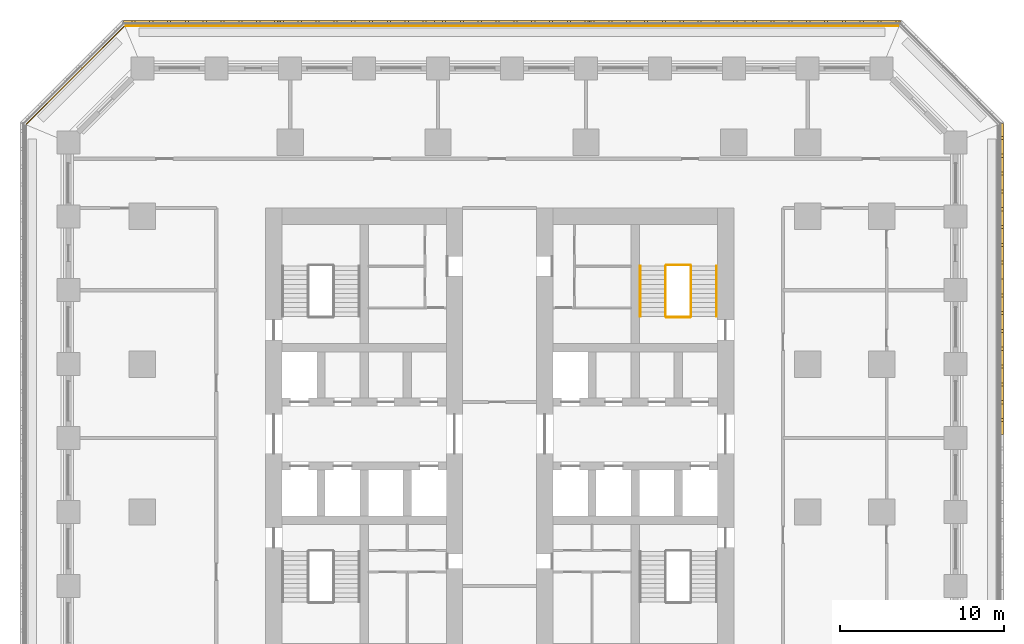
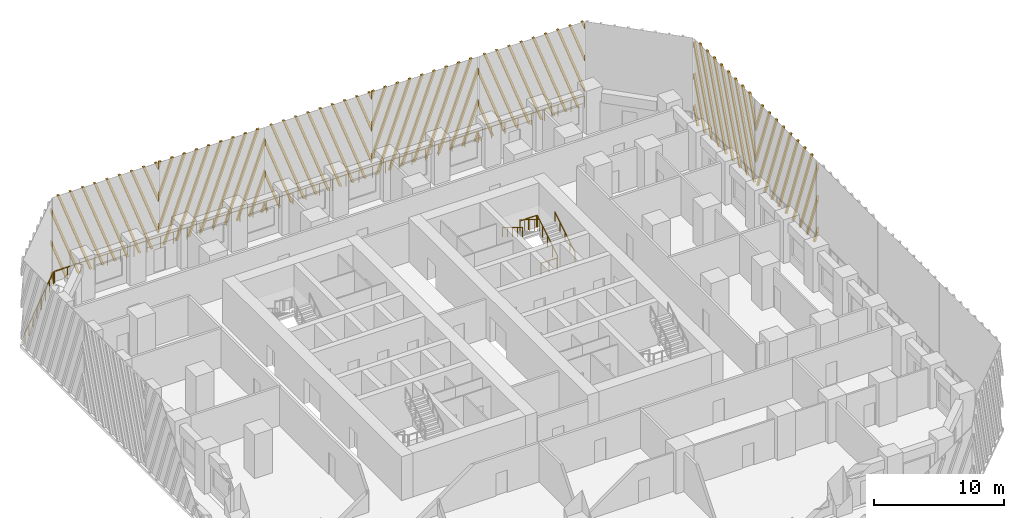
# One storey, part 12 of 14: 8 railings, 7 shading devices.
"""IFC4 building model written with IfcOpenShell, lengths in metres."""

import ifcopenshell
import ifcopenshell.guid

model = None  # the IFC model being written
_history = None  # IfcOwnerHistory: only IFC2X3 demands one
_inside = {}  # id of a spatial element -> (the spatial element, [elements in it])
_under = {}  # id of a project, library or spatial element -> (it, [spatial elements below it])
_declared = {}  # id of a project -> (the project, [libraries it declares])
_typed = {}  # id of a type object -> (the type object, [elements of that type])
_made_of = {}  # id of a material, layer set ... -> (it, [elements and type objects made of it])


def new_model(schema):
    """Start an empty IFC model of exactly this schema.

    Asked for "IFC4X3", IfcOpenShell would pick the latest addendum, in which some entities
    have other attributes; the version numbers below select the first issue.
    IFC2X3 requires an IfcOwnerHistory on every rooted entity: one is made here for all.
    """
    global model, _history
    if schema == "IFC4X3":
        model = ifcopenshell.file(schema_version=(4, 3, 0, 0))
    else:
        model = ifcopenshell.file(schema=schema)
    _inside.clear()
    _under.clear()
    _declared.clear()
    _typed.clear()
    _made_of.clear()
    _history = None
    if model.schema == "IFC2X3":
        org = make("IfcOrganization", Name="unknown")
        user = make(
            "IfcPersonAndOrganization",
            ThePerson=make("IfcPerson", FamilyName="unknown"),
            TheOrganization=org,
        )
        app = make(
            "IfcApplication",
            ApplicationDeveloper=org,
            Version="unknown",
            ApplicationFullName="unknown",
            ApplicationIdentifier="unknown",
        )
        _history = make(
            "IfcOwnerHistory",
            OwningUser=user,
            OwningApplication=app,
            ChangeAction="ADDED",
            CreationDate=0,
        )
    return model


def make(cls, **values):
    """One entity of the class cls with the attributes given. An attribute that is None is left unset."""
    return model.create_entity(
        cls, **{name: value for name, value in values.items() if value is not None}
    )


def rooted(cls, **values):
    """An entity with a GlobalId (a new one), such as an element, a storey or a relation."""
    return make(cls, GlobalId=ifcopenshell.guid.new(), OwnerHistory=_history, **values)


def si_unit(unit_type, name, prefix=None):
    """IfcSIUnit, for example si_unit("LENGTHUNIT", "METRE", prefix="MILLI")."""
    return make("IfcSIUnit", UnitType=unit_type, Prefix=prefix, Name=name)


def assignment(units):
    """IfcUnitAssignment: the units of a project."""
    return None if units is None else make("IfcUnitAssignment", Units=units)


def point(xyz):
    """IfcCartesianPoint."""
    return None if xyz is None else make("IfcCartesianPoint", Coordinates=xyz)


def direction(xyz):
    """IfcDirection."""
    return None if xyz is None else make("IfcDirection", DirectionRatios=xyz)


def frame(location, z_axis=None, x_axis=None):
    """IfcAxis2Placement3D, a coordinate frame: its origin and axes. An axis left out is left unset."""
    return make(
        "IfcAxis2Placement3D",
        Location=point(location),
        Axis=direction(z_axis),
        RefDirection=direction(x_axis),
    )


def frame_2d(location, x_axis=None):
    """IfcAxis2Placement2D, a coordinate frame in the plane: its origin and x axis."""
    return make(
        "IfcAxis2Placement2D", Location=point(location), RefDirection=direction(x_axis)
    )


def origin():
    """The frame at (0, 0, 0) with its axes left unset."""
    return frame((0.0, 0.0, 0.0))


def origin_2d():
    """The frame at (0, 0) in the plane with its x axis left unset."""
    return frame_2d((0.0, 0.0))


def place(relative_to, where):
    """IfcLocalPlacement: puts the frame where relative to a parent placement (None: the world)."""
    return make(
        "IfcLocalPlacement", PlacementRelTo=relative_to, RelativePlacement=where
    )


def context(
    kind, dimensions, precision=None, world=None, true_north=None, identifier=None
):
    """IfcGeometricRepresentationContext, for example the 3D "Model" context."""
    return make(
        "IfcGeometricRepresentationContext",
        ContextIdentifier=identifier,
        ContextType=kind,
        CoordinateSpaceDimension=dimensions,
        Precision=precision,
        WorldCoordinateSystem=world,
        TrueNorth=true_north,
    )


def subcontext(parent, identifier, kind, view, scale=None):
    """IfcGeometricRepresentationSubContext, for example "Body" below "Model"."""
    return make(
        "IfcGeometricRepresentationSubContext",
        ContextIdentifier=identifier,
        ContextType=kind,
        ParentContext=parent,
        TargetScale=scale,
        TargetView=view,
    )


def project(units=None, contexts=None):
    """IfcProject with its units and contexts."""
    return rooted(
        "IfcProject",
        Name="project",
        RepresentationContexts=contexts,
        UnitsInContext=assignment(units),
    )


def spatial(cls, under=None, at=None, **own):
    """A site, building, storey or space (cls), placed at a placement, below another one or the project."""
    s = rooted(cls, ObjectPlacement=at, **own)
    if under is not None:
        _under.setdefault(under.id(), (under, []))[1].append(s)
    return s


def polyline(points):
    """IfcPolyline through the points."""
    return make("IfcPolyline", Points=[point(p) for p in points])


def profile(cls, at=None, kind="AREA", **sizes):
    """A parametric profile (cls). Its sizes go by their IFC names, for example OverallWidth=200.0."""
    return make(cls, ProfileType=kind, Position=at, **sizes)


def circle(**sizes):
    """IfcCircleProfileDef."""
    return profile("IfcCircleProfileDef", **sizes)


def outline(outer, holes=None, kind="AREA"):
    """IfcArbitraryClosedProfileDef: a profile drawn as a closed curve; with holes, ...WithVoids."""
    if holes is None:
        return make("IfcArbitraryClosedProfileDef", ProfileType=kind, OuterCurve=outer)
    return make(
        "IfcArbitraryProfileDefWithVoids",
        ProfileType=kind,
        OuterCurve=outer,
        InnerCurves=holes,
    )


def extrude(swept, where, along, depth):
    """IfcExtrudedAreaSolid: the profile swept, set in the frame where, extruded along a direction by depth."""
    return make(
        "IfcExtrudedAreaSolid",
        SweptArea=swept,
        Position=where,
        ExtrudedDirection=direction(along),
        Depth=depth,
    )


def shape(context_of_items, identifier, shape_type, items):
    """IfcShapeRepresentation: the items that make up one representation, for example the "Body"."""
    return make(
        "IfcShapeRepresentation",
        ContextOfItems=context_of_items,
        RepresentationIdentifier=identifier,
        RepresentationType=shape_type,
        Items=items,
    )


def source(mapping_origin, context_of_items, identifier, shape_type, items):
    """IfcRepresentationMap: a shape defined once, which mapped items show again and again."""
    return make(
        "IfcRepresentationMap",
        MappingOrigin=mapping_origin,
        MappedRepresentation=shape(context_of_items, identifier, shape_type, items),
    )


def transform(
    local_origin,
    x_axis=None,
    y_axis=None,
    z_axis=None,
    scale=None,
    scale2=None,
    scale3=None,
    uniform=True,
):
    """IfcCartesianTransformationOperator3D, or its non-uniform kind. x_axis, y_axis, z_axis: its Axis1, 2, 3."""
    if uniform:
        return make(
            "IfcCartesianTransformationOperator3D",
            Axis1=direction(x_axis),
            Axis2=direction(y_axis),
            LocalOrigin=point(local_origin),
            Scale=scale,
            Axis3=direction(z_axis),
        )
    return make(
        "IfcCartesianTransformationOperator3DnonUniform",
        Axis1=direction(x_axis),
        Axis2=direction(y_axis),
        LocalOrigin=point(local_origin),
        Scale=scale,
        Axis3=direction(z_axis),
        Scale2=scale2,
        Scale3=scale3,
    )


def mapped(mapping_source, mapping_target):
    """IfcMappedItem: shows the shape of a source again, moved by a transform."""
    return make(
        "IfcMappedItem", MappingSource=mapping_source, MappingTarget=mapping_target
    )


def material(Name=None, Category=None):
    """IfcMaterial."""
    return make("IfcMaterial", Name=Name, Category=Category)


def made_of(thing, what):
    """Note that an element or type object is made of a material, layer set ...; save() writes the relation."""
    if what is not None:
        _made_of.setdefault(what.id(), (what, []))[1].append(thing)
    return thing


def type_object(cls, material=None, **own):
    """A type object (cls), such as IfcWallType, which elements share."""
    return made_of(rooted(cls, **own), material)


def element(
    cls,
    number,
    at=None,
    inside=None,
    cuts=None,
    type_object=None,
    material=None,
    context=None,
    identifier="Body",
    shape_type=None,
    held_by="IfcProductDefinitionShape",
    body=None,
    shapes=None,
    **own,
):
    """One element of the class cls, such as IfcWall. Its Tag is "e" and its number.

    at: its placement. inside: the storey or other place that contains it. cuts: it is an
    opening in that element (IfcRelVoidsElement). A single representation is given by context,
    identifier, shape_type and body (its items); several are given by shapes. held_by: the class
    of the entity that holds the representations. save() writes the other relations.
    """
    e = rooted(cls, Tag="e%d" % number, ObjectPlacement=at, **own)
    if body is not None:
        shapes = [shape(context, identifier, shape_type, body)]
    if shapes is not None:
        e.Representation = make(held_by, Representations=shapes)
    if inside is not None:
        _inside.setdefault(inside.id(), (inside, []))[1].append(e)
    if cuts is not None:
        rooted(
            "IfcRelVoidsElement", RelatingBuildingElement=cuts, RelatedOpeningElement=e
        )
    if type_object is not None:
        _typed.setdefault(type_object.id(), (type_object, []))[1].append(e)
    return made_of(e, material)


def aggregate(whole, parts):
    """IfcRelAggregates: a whole, such as a stair, and the parts it consists of."""
    return rooted("IfcRelAggregates", RelatingObject=whole, RelatedObjects=parts)


def save(model, path):
    """Write the relations noted so far, then the file.

    IfcRelAggregates (storeys below a building ...), IfcRelContainedInSpatialStructure (elements
    in a storey), IfcRelDefinesByType, IfcRelAssociatesMaterial and IfcRelDeclares: one each for
    every whole, place, type object, material and project.
    """
    for whole, parts in _under.values():
        aggregate(whole, parts)
    for where, things in _inside.values():
        rooted(
            "IfcRelContainedInSpatialStructure",
            RelatedElements=things,
            RelatingStructure=where,
        )
    for kind, things in _typed.values():
        rooted("IfcRelDefinesByType", RelatedObjects=things, RelatingType=kind)
    for what, things in _made_of.values():
        rooted("IfcRelAssociatesMaterial", RelatedObjects=things, RelatingMaterial=what)
    for by, libraries in _declared.values():
        rooted("IfcRelDeclares", RelatingContext=by, RelatedDefinitions=libraries)
    model.write(path)


model = new_model("IFC4")

# Units and contexts
model_context = context("Model", 3, precision=1e-05, world=origin(), true_north=direction((0.0, 1.0)))
body_context = subcontext(model_context, "Body", "Model", "MODEL_VIEW")
ifc_project = project(units=[si_unit("LENGTHUNIT", "METRE"), si_unit("AREAUNIT", "SQUARE_METRE"), si_unit("VOLUMEUNIT", "CUBIC_METRE"), si_unit("PLANEANGLEUNIT", "RADIAN"), si_unit("MASSUNIT", "GRAM", prefix="KILO")], contexts=[model_context])

# Site, building, storey
site_placement = place(None, origin())
site = spatial("IfcSite", under=ifc_project, at=site_placement, CompositionType="ELEMENT")
building_placement = place(site_placement, origin())
building = spatial("IfcBuilding", under=site, at=building_placement, Name="Corbel Stack Research Tower", CompositionType="ELEMENT")
storey_placement = place(building_placement, frame((0.0, 0.0, 58.300048828125)))
storey = spatial("IfcBuildingStorey", under=building, at=storey_placement, Name="L13", CompositionType="ELEMENT", Elevation=58.300048828125)

# Railings
ifc_material_1 = material(Name="Steel S355", Category="steel")
railing_type_1 = type_object("IfcRailingType", Name="Stair guard 1100", PredefinedType="GUARDRAIL", material=ifc_material_1)
railing_1_placement = place(storey_placement, frame((15.39990234375, 11.89990234375, 0.1708984375)))
element("IfcRailing", 1, at=railing_1_placement, inside=storey, type_object=railing_type_1, Name="L13 ST-E2 stair guard 1", PredefinedType="GUARDRAIL", context=body_context, shape_type="SweptSolid", body=[
    extrude(circle(Radius=0.02392578125, at=origin_2d()), frame((0.0, 0.0, 1.076171875), z_axis=(0.0, 0.853666305674, 0.52082035152), x_axis=(-1.0, 0.0, 0.0)), (0.0, 0.0, 1.0), 3.608154296875),
    extrude(circle(Radius=0.02099609375, at=origin_2d()), origin(), (0.0, 0.0, 1.0), 1.052001953125),
    extrude(circle(Radius=0.02099609375, at=origin_2d()), frame((0.0, 0.77001953125, 0.4697265625)), (0.0, 0.0, 1.0), 1.052001953125),
    extrude(circle(Radius=0.02099609375, at=origin_2d()), frame((0.0, 1.5400390625, 0.939453125)), (0.0, 0.0, 1.0), 1.052001953125),
    extrude(circle(Radius=0.02099609375, at=origin_2d()), frame((0.0, 2.31005859375, 1.409423828125)), (0.0, 0.0, 1.0), 1.052001953125),
    extrude(circle(Radius=0.02099609375, at=origin_2d()), frame((0.0, 3.080078125, 1.879150390625)), (0.0, 0.0, 1.0), 1.052001953125),
])
railing_2_placement = place(storey_placement, frame((15.35009765625, 15.030029296875, 2.050048828125)))
element("IfcRailing", 2, at=railing_2_placement, inside=storey, type_object=railing_type_1, Name="L13 ST-E2 stair guard 2", PredefinedType="GUARDRAIL", context=body_context, shape_type="SweptSolid", body=[
    extrude(circle(Radius=0.02392578125, at=origin_2d()), frame((0.0, 0.0, 1.076171875), z_axis=(-1.0, 0.0, 0.0), x_axis=(0.0, -1.0, 0.0)), (0.0, 0.0, 1.0), 1.4501953125),
    extrude(circle(Radius=0.02099609375, at=origin_2d()), origin(), (0.0, 0.0, 1.0), 1.052001953125),
    extrude(circle(Radius=0.02099609375, at=origin_2d()), frame((-0.72509765625, 0.0, 0.0)), (0.0, 0.0, 1.0), 1.052001953125),
    extrude(circle(Radius=0.02099609375, at=origin_2d()), frame((-1.4501953125, 0.0, 0.0)), (0.0, 0.0, 1.0), 1.052001953125),
])
railing_3_placement = place(storey_placement, frame((13.85009765625, 14.97998046875, 2.220703125)))
element("IfcRailing", 3, at=railing_3_placement, inside=storey, type_object=railing_type_1, Name="L13 ST-E2 stair guard 3", PredefinedType="GUARDRAIL", context=body_context, shape_type="SweptSolid", body=[
    extrude(circle(Radius=0.02392578125, at=origin_2d()), frame((0.0, 0.0, 1.076171875), z_axis=(0.0, -0.853666305674, 0.52082035152), x_axis=(1.0, 0.0, 0.0)), (0.0, 0.0, 1.0), 3.608154296875),
    extrude(circle(Radius=0.02099609375, at=origin_2d()), origin(), (0.0, 0.0, 1.0), 1.052001953125),
    extrude(circle(Radius=0.02099609375, at=origin_2d()), frame((0.0, -0.77001953125, 0.4697265625)), (0.0, 0.0, 1.0), 1.052001953125),
    extrude(circle(Radius=0.02099609375, at=origin_2d()), frame((0.0, -1.5400390625, 0.939453125)), (0.0, 0.0, 1.0), 1.052001953125),
    extrude(circle(Radius=0.02099609375, at=origin_2d()), frame((0.0, -2.31005859375, 1.409423828125)), (0.0, 0.0, 1.0), 1.052001953125),
    extrude(circle(Radius=0.02099609375, at=origin_2d()), frame((0.0, -3.080078125, 1.879150390625)), (0.0, 0.0, 1.0), 1.052001953125),
])
railing_4_placement = place(storey_placement, frame((15.35009765625, 11.85009765625, 0.0)))
element("IfcRailing", 4, at=railing_4_placement, inside=storey, type_object=railing_type_1, Name="L13 ST-E2 stair guard 4", PredefinedType="GUARDRAIL", context=body_context, shape_type="SweptSolid", body=[
    extrude(circle(Radius=0.02392578125, at=origin_2d()), frame((0.0, 0.0, 1.076171875), z_axis=(-1.0, 0.0, 0.0), x_axis=(0.0, -1.0, 0.0)), (0.0, 0.0, 1.0), 1.4501953125),
    extrude(circle(Radius=0.02099609375, at=origin_2d()), origin(), (0.0, 0.0, 1.0), 1.052001953125),
    extrude(circle(Radius=0.02099609375, at=origin_2d()), frame((-0.72509765625, 0.0, 0.0)), (0.0, 0.0, 1.0), 1.052001953125),
    extrude(circle(Radius=0.02099609375, at=origin_2d()), frame((-1.4501953125, 0.0, 0.0)), (0.0, 0.0, 1.0), 1.052001953125),
])
ifc_material_2 = material(Name="Steel S355", Category="steel")
railing_type_2 = type_object("IfcRailingType", Name="Stair handrail 900", PredefinedType="HANDRAIL", material=ifc_material_2)
railing_5_placement = place(storey_placement, frame((16.949951171875, 11.89990234375, 0.1708984375)))
element("IfcRailing", 5, at=railing_5_placement, inside=storey, type_object=railing_type_2, Name="L13 ST-E2 stair handrail 1", PredefinedType="HANDRAIL", context=body_context, shape_type="SweptSolid", body=[
    extrude(circle(Radius=0.02392578125, at=origin_2d()), frame((0.0, 0.0, 0.8759765625), z_axis=(0.0, 0.853666305674, 0.52082035152), x_axis=(-1.0, 0.0, 0.0)), (0.0, 0.0, 1.0), 3.608154296875),
    extrude(circle(Radius=0.02099609375, at=origin_2d()), origin(), (0.0, 0.0, 1.0), 0.851806640625),
    extrude(circle(Radius=0.02099609375, at=origin_2d()), frame((0.0, 0.77001953125, 0.4697265625)), (0.0, 0.0, 1.0), 0.851806640625),
    extrude(circle(Radius=0.02099609375, at=origin_2d()), frame((0.0, 1.5400390625, 0.939453125)), (0.0, 0.0, 1.0), 0.851806640625),
    extrude(circle(Radius=0.02099609375, at=origin_2d()), frame((0.0, 2.31005859375, 1.409423828125)), (0.0, 0.0, 1.0), 0.851806640625),
    extrude(circle(Radius=0.02099609375, at=origin_2d()), frame((0.0, 3.080078125, 1.879150390625)), (0.0, 0.0, 1.0), 0.851806640625),
])
railing_6_placement = place(storey_placement, frame((12.300048828125, 14.97998046875, 2.220703125)))
element("IfcRailing", 6, at=railing_6_placement, inside=storey, type_object=railing_type_2, Name="L13 ST-E2 stair handrail 2", PredefinedType="HANDRAIL", context=body_context, shape_type="SweptSolid", body=[
    extrude(circle(Radius=0.02392578125, at=origin_2d()), frame((0.0, 0.0, 0.8759765625), z_axis=(0.0, -0.853666305674, 0.52082035152), x_axis=(1.0, 0.0, 0.0)), (0.0, 0.0, 1.0), 3.608154296875),
    extrude(circle(Radius=0.02099609375, at=origin_2d()), origin(), (0.0, 0.0, 1.0), 0.851806640625),
    extrude(circle(Radius=0.02099609375, at=origin_2d()), frame((0.0, -0.77001953125, 0.4697265625)), (0.0, 0.0, 1.0), 0.851806640625),
    extrude(circle(Radius=0.02099609375, at=origin_2d()), frame((0.0, -1.5400390625, 0.939453125)), (0.0, 0.0, 1.0), 0.851806640625),
    extrude(circle(Radius=0.02099609375, at=origin_2d()), frame((0.0, -2.31005859375, 1.409423828125)), (0.0, 0.0, 1.0), 0.851806640625),
    extrude(circle(Radius=0.02099609375, at=origin_2d()), frame((0.0, -3.080078125, 1.879150390625)), (0.0, 0.0, 1.0), 0.851806640625),
])
ifc_material_3 = material(Name="Powder-coated steel guard", Category="steel")
railing_type_3 = type_object("IfcRailingType", Name="Steel and glass guard 1100", PredefinedType="GUARDRAIL", material=ifc_material_3)
railing_7_placement = place(storey_placement, frame((28.00537109375, 29.60009765625, 0.0)))
element("IfcRailing", 7, at=railing_7_placement, inside=storey, type_object=railing_type_3, Name="Loggia guard L13 N", PredefinedType="GUARDRAIL", context=body_context, shape_type="SweptSolid", body=[
    extrude(circle(Radius=0.02392578125, at=origin_2d()), frame((0.0, 0.0, 1.076171875), z_axis=(-1.0, 0.0, 0.0), x_axis=(0.0, -1.0, 0.0)), (0.0, 0.0, 1.0), 47.0107421875),
    extrude(circle(Radius=0.02099609375, at=origin_2d()), origin(), (0.0, 0.0, 1.0), 1.052001953125),
    extrude(circle(Radius=0.02099609375, at=origin_2d()), frame((-1.17529296875, 0.0, 0.0)), (0.0, 0.0, 1.0), 1.052001953125),
    extrude(circle(Radius=0.02099609375, at=origin_2d()), frame((-2.3505859375, 0.0, 0.0)), (0.0, 0.0, 1.0), 1.052001953125),
    extrude(circle(Radius=0.02099609375, at=origin_2d()), frame((-3.52587890625, 0.0, 0.0)), (0.0, 0.0, 1.0), 1.052001953125),
    extrude(circle(Radius=0.02099609375, at=origin_2d()), frame((-4.701171875, 0.0, 0.0)), (0.0, 0.0, 1.0), 1.052001953125),
    extrude(circle(Radius=0.02099609375, at=origin_2d()), frame((-5.87646484375, 0.0, 0.0)), (0.0, 0.0, 1.0), 1.052001953125),
    extrude(circle(Radius=0.02099609375, at=origin_2d()), frame((-7.051513671875, 0.0, 0.0)), (0.0, 0.0, 1.0), 1.052001953125),
    extrude(circle(Radius=0.02099609375, at=origin_2d()), frame((-8.226806640625, 0.0, 0.0)), (0.0, 0.0, 1.0), 1.052001953125),
    extrude(circle(Radius=0.02099609375, at=origin_2d()), frame((-9.402099609375, 0.0, 0.0)), (0.0, 0.0, 1.0), 1.052001953125),
    extrude(circle(Radius=0.02099609375, at=origin_2d()), frame((-10.577392578125, 0.0, 0.0)), (0.0, 0.0, 1.0), 1.052001953125),
    extrude(circle(Radius=0.02099609375, at=origin_2d()), frame((-11.752685546875, 0.0, 0.0)), (0.0, 0.0, 1.0), 1.052001953125),
    extrude(circle(Radius=0.02099609375, at=origin_2d()), frame((-12.927978515625, 0.0, 0.0)), (0.0, 0.0, 1.0), 1.052001953125),
    extrude(circle(Radius=0.02099609375, at=origin_2d()), frame((-14.103271484375, 0.0, 0.0)), (0.0, 0.0, 1.0), 1.052001953125),
    extrude(circle(Radius=0.02099609375, at=origin_2d()), frame((-15.278564453125, 0.0, 0.0)), (0.0, 0.0, 1.0), 1.052001953125),
    extrude(circle(Radius=0.02099609375, at=origin_2d()), frame((-16.453857421875, 0.0, 0.0)), (0.0, 0.0, 1.0), 1.052001953125),
    extrude(circle(Radius=0.02099609375, at=origin_2d()), frame((-17.62890625, 0.0, 0.0)), (0.0, 0.0, 1.0), 1.052001953125),
    extrude(circle(Radius=0.02099609375, at=origin_2d()), frame((-18.80419921875, 0.0, 0.0)), (0.0, 0.0, 1.0), 1.052001953125),
    extrude(circle(Radius=0.02099609375, at=origin_2d()), frame((-19.9794921875, 0.0, 0.0)), (0.0, 0.0, 1.0), 1.052001953125),
    extrude(circle(Radius=0.02099609375, at=origin_2d()), frame((-21.15478515625, 0.0, 0.0)), (0.0, 0.0, 1.0), 1.052001953125),
    extrude(circle(Radius=0.02099609375, at=origin_2d()), frame((-22.330078125, 0.0, 0.0)), (0.0, 0.0, 1.0), 1.052001953125),
    extrude(circle(Radius=0.02099609375, at=origin_2d()), frame((-23.50537109375, 0.0, 0.0)), (0.0, 0.0, 1.0), 1.052001953125),
    extrude(circle(Radius=0.02099609375, at=origin_2d()), frame((-24.6806640625, 0.0, 0.0)), (0.0, 0.0, 1.0), 1.052001953125),
    extrude(circle(Radius=0.02099609375, at=origin_2d()), frame((-25.85595703125, 0.0, 0.0)), (0.0, 0.0, 1.0), 1.052001953125),
    extrude(circle(Radius=0.02099609375, at=origin_2d()), frame((-27.03125, 0.0, 0.0)), (0.0, 0.0, 1.0), 1.052001953125),
    extrude(circle(Radius=0.02099609375, at=origin_2d()), frame((-28.20654296875, 0.0, 0.0)), (0.0, 0.0, 1.0), 1.052001953125),
    extrude(circle(Radius=0.02099609375, at=origin_2d()), frame((-29.3818359375, 0.0, 0.0)), (0.0, 0.0, 1.0), 1.052001953125),
    extrude(circle(Radius=0.02099609375, at=origin_2d()), frame((-30.556884765625, 0.0, 0.0)), (0.0, 0.0, 1.0), 1.052001953125),
    extrude(circle(Radius=0.02099609375, at=origin_2d()), frame((-31.732177734375, 0.0, 0.0)), (0.0, 0.0, 1.0), 1.052001953125),
    extrude(circle(Radius=0.02099609375, at=origin_2d()), frame((-32.907470703125, 0.0, 0.0)), (0.0, 0.0, 1.0), 1.052001953125),
    extrude(circle(Radius=0.02099609375, at=origin_2d()), frame((-34.082763671875, 0.0, 0.0)), (0.0, 0.0, 1.0), 1.052001953125),
    extrude(circle(Radius=0.02099609375, at=origin_2d()), frame((-35.258056640625, 0.0, 0.0)), (0.0, 0.0, 1.0), 1.052001953125),
    extrude(circle(Radius=0.02099609375, at=origin_2d()), frame((-36.433349609375, 0.0, 0.0)), (0.0, 0.0, 1.0), 1.052001953125),
    extrude(circle(Radius=0.02099609375, at=origin_2d()), frame((-37.608642578125, 0.0, 0.0)), (0.0, 0.0, 1.0), 1.052001953125),
    extrude(circle(Radius=0.02099609375, at=origin_2d()), frame((-38.783935546875, 0.0, 0.0)), (0.0, 0.0, 1.0), 1.052001953125),
    extrude(circle(Radius=0.02099609375, at=origin_2d()), frame((-39.959228515625, 0.0, 0.0)), (0.0, 0.0, 1.0), 1.052001953125),
    extrude(circle(Radius=0.02099609375, at=origin_2d()), frame((-41.13427734375, 0.0, 0.0)), (0.0, 0.0, 1.0), 1.052001953125),
    extrude(circle(Radius=0.02099609375, at=origin_2d()), frame((-42.3095703125, 0.0, 0.0)), (0.0, 0.0, 1.0), 1.052001953125),
    extrude(circle(Radius=0.02099609375, at=origin_2d()), frame((-43.48486328125, 0.0, 0.0)), (0.0, 0.0, 1.0), 1.052001953125),
    extrude(circle(Radius=0.02099609375, at=origin_2d()), frame((-44.66015625, 0.0, 0.0)), (0.0, 0.0, 1.0), 1.052001953125),
    extrude(circle(Radius=0.02099609375, at=origin_2d()), frame((-45.83544921875, 0.0, 0.0)), (0.0, 0.0, 1.0), 1.052001953125),
    extrude(circle(Radius=0.02099609375, at=origin_2d()), frame((-47.0107421875, 0.0, 0.0)), (0.0, 0.0, 1.0), 1.052001953125),
])
railing_8_placement = place(storey_placement, frame((-19.127685546875, 29.54931640625, 0.0)))
element("IfcRailing", 8, at=railing_8_placement, inside=storey, type_object=railing_type_3, Name="Loggia guard L13 NW", PredefinedType="GUARDRAIL", context=body_context, shape_type="SweptSolid", body=[
    extrude(circle(Radius=0.02392578125, at=origin_2d()), frame((0.0, 0.0, 1.076171875), z_axis=(-0.707106781187, -0.707106781187, 0.0), x_axis=(0.707106781187, -0.707106781187, 0.0)), (0.0, 0.0, 1.0), 8.37451171875),
    extrude(circle(Radius=0.02099609375, at=origin_2d()), origin(), (0.0, 0.0, 1.0), 1.052001953125),
    extrude(circle(Radius=0.02099609375, at=origin_2d()), frame((-0.845947265625, -0.845947265625, 0.0)), (0.0, 0.0, 1.0), 1.052001953125),
    extrude(circle(Radius=0.02099609375, at=origin_2d()), frame((-1.69189453125, -1.69189453125, 0.0)), (0.0, 0.0, 1.0), 1.052001953125),
    extrude(circle(Radius=0.02099609375, at=origin_2d()), frame((-2.537841796875, -2.537841796875, 0.0)), (0.0, 0.0, 1.0), 1.052001953125),
    extrude(circle(Radius=0.02099609375, at=origin_2d()), frame((-3.3837890625, -3.3837890625, 0.0)), (0.0, 0.0, 1.0), 1.052001953125),
    extrude(circle(Radius=0.02099609375, at=origin_2d()), frame((-4.229736328125, -4.229736328125, 0.0)), (0.0, 0.0, 1.0), 1.052001953125),
    extrude(circle(Radius=0.02099609375, at=origin_2d()), frame((-5.07568359375, -5.07568359375, 0.0)), (0.0, 0.0, 1.0), 1.052001953125),
    extrude(circle(Radius=0.02099609375, at=origin_2d()), frame((-5.921630859375, -5.921630859375, 0.0)), (0.0, 0.0, 1.0), 1.052001953125),
])

# Shading devices
ifc_material_4 = material(Name="Precast terracotta", Category="masonry")
shading_device_type = type_object("IfcShadingDeviceType", Name="Terracotta screen panel", PredefinedType="USERDEFINED", material=ifc_material_4)
shared_shape_1 = source(origin(), body_context, "Body", "SweptSolid", [
    extrude(outline(polyline([(1.09033203125, 7.949951171875), (0.900390625, 7.949951171875), (0.0, 5.476318359375), (0.0, 4.9541015625), (1.09033203125, 7.949951171875)])), frame((0.0, 0.0, 0.0), z_axis=(0.0, -1.0, 0.0), x_axis=(1.0, 0.0, 0.0)), (0.0, 0.0, 1.0), 0.179931640625),
    extrude(outline(polyline([(2.175048828125, 7.949951171875), (1.985107421875, 7.949951171875), (0.0, 2.49609375), (0.0, 1.97412109375), (2.175048828125, 7.949951171875)])), frame((0.0, 0.0, 0.0), z_axis=(0.0, -1.0, 0.0), x_axis=(1.0, 0.0, 0.0)), (0.0, 0.0, 1.0), 0.179931640625),
    extrude(outline(polyline([(0.3662109375, 0.0), (3.259765625, 7.949951171875), (3.069580078125, 7.949951171875), (0.17626953125, 0.0), (0.3662109375, 0.0)])), frame((0.0, 0.0, 0.0), z_axis=(0.0, -1.0, 0.0), x_axis=(1.0, 0.0, 0.0)), (0.0, 0.0, 1.0), 0.179931640625),
    extrude(outline(polyline([(1.45068359375, 0.0), (4.344482421875, 7.949951171875), (4.154296875, 7.949951171875), (1.2607421875, 0.0), (1.45068359375, 0.0)])), frame((0.0, 0.0, 0.0), z_axis=(0.0, -1.0, 0.0), x_axis=(1.0, 0.0, 0.0)), (0.0, 0.0, 1.0), 0.179931640625),
    extrude(outline(polyline([(2.535400390625, 0.0), (5.42919921875, 7.949951171875), (5.239013671875, 7.949951171875), (2.345458984375, 0.0), (2.535400390625, 0.0)])), frame((0.0, 0.0, 0.0), z_axis=(0.0, -1.0, 0.0), x_axis=(1.0, 0.0, 0.0)), (0.0, 0.0, 1.0), 0.179931640625),
    extrude(outline(polyline([(3.6201171875, 0.0), (6.513671875, 7.949951171875), (6.32373046875, 7.949951171875), (3.43017578125, 0.0), (3.6201171875, 0.0)])), frame((0.0, 0.0, 0.0), z_axis=(0.0, -1.0, 0.0), x_axis=(1.0, 0.0, 0.0)), (0.0, 0.0, 1.0), 0.179931640625),
    extrude(outline(polyline([(4.704833984375, 0.0), (7.598388671875, 7.949951171875), (7.408447265625, 7.949951171875), (4.514892578125, 0.0), (4.704833984375, 0.0)])), frame((0.0, 0.0, 0.0), z_axis=(0.0, -1.0, 0.0), x_axis=(1.0, 0.0, 0.0)), (0.0, 0.0, 1.0), 0.179931640625),
    extrude(outline(polyline([(5.78955078125, 0.0), (8.68310546875, 7.949951171875), (8.4931640625, 7.949951171875), (5.599609375, 0.0), (5.78955078125, 0.0)])), frame((0.0, 0.0, 0.0), z_axis=(0.0, -1.0, 0.0), x_axis=(1.0, 0.0, 0.0)), (0.0, 0.0, 1.0), 0.179931640625),
    extrude(outline(polyline([(6.874267578125, 0.0), (9.45556640625, 7.092529296875), (9.45556640625, 7.614501953125), (6.68408203125, 0.0), (6.874267578125, 0.0)])), frame((0.0, 0.0, 0.0), z_axis=(0.0, -1.0, 0.0), x_axis=(1.0, 0.0, 0.0)), (0.0, 0.0, 1.0), 0.179931640625),
    extrude(outline(polyline([(7.958740234375, 0.0), (9.45556640625, 4.1123046875), (9.45556640625, 4.634521484375), (7.768798828125, 0.0), (7.958740234375, 0.0)])), frame((0.0, 0.0, 0.0), z_axis=(0.0, -1.0, 0.0), x_axis=(1.0, 0.0, 0.0)), (0.0, 0.0, 1.0), 0.179931640625),
    extrude(outline(polyline([(9.04345703125, 0.0), (9.45556640625, 1.13232421875), (9.45556640625, 1.654296875), (8.853515625, 0.0), (9.04345703125, 0.0)])), frame((0.0, 0.0, 0.0), z_axis=(0.0, -1.0, 0.0), x_axis=(1.0, 0.0, 0.0)), (0.0, 0.0, 1.0), 0.179931640625),
])
shading_device_1_placement = place(storey_placement, frame((34.25, 14.18359375, 0.0), z_axis=(0.0, 0.0, 1.0), x_axis=(0.0, 1.0, 0.0)))
element("IfcShadingDevice", 9, at=shading_device_1_placement, inside=storey, type_object=shading_device_type, Name="Terracotta screen L13 E5", ObjectType="SCREEN", PredefinedType="USERDEFINED", context=body_context, shape_type="MappedRepresentation", body=[
    mapped(shared_shape_1, transform((0.0, 0.0, 0.0))),
])
shared_shape_2 = source(origin(), body_context, "Body", "SweptSolid", [
    extrude(outline(polyline([(0.60205078125, 0.0), (0.0, 1.654296875), (0.0, 1.13232421875), (0.412109375, 0.0), (0.60205078125, 0.0)])), frame((0.0, 0.0, 0.0), z_axis=(0.0, -1.0, 0.0), x_axis=(1.0, 0.0, 0.0)), (0.0, 0.0, 1.0), 0.179931640625),
    extrude(outline(polyline([(1.686767578125, 0.0), (0.0, 4.634521484375), (0.0, 4.1123046875), (1.496826171875, 0.0), (1.686767578125, 0.0)])), frame((0.0, 0.0, 0.0), z_axis=(0.0, -1.0, 0.0), x_axis=(1.0, 0.0, 0.0)), (0.0, 0.0, 1.0), 0.179931640625),
    extrude(outline(polyline([(2.771484375, 0.0), (0.0, 7.614501953125), (0.0, 7.092529296875), (2.58154296875, 0.0), (2.771484375, 0.0)])), frame((0.0, 0.0, 0.0), z_axis=(0.0, -1.0, 0.0), x_axis=(1.0, 0.0, 0.0)), (0.0, 0.0, 1.0), 0.179931640625),
    extrude(outline(polyline([(3.856201171875, 0.0), (0.962646484375, 7.949951171875), (0.772705078125, 7.949951171875), (3.666015625, 0.0), (3.856201171875, 0.0)])), frame((0.0, 0.0, 0.0), z_axis=(0.0, -1.0, 0.0), x_axis=(1.0, 0.0, 0.0)), (0.0, 0.0, 1.0), 0.179931640625),
    extrude(outline(polyline([(4.94091796875, 0.0), (2.047119140625, 7.949951171875), (1.857177734375, 7.949951171875), (4.750732421875, 0.0), (4.94091796875, 0.0)])), frame((0.0, 0.0, 0.0), z_axis=(0.0, -1.0, 0.0), x_axis=(1.0, 0.0, 0.0)), (0.0, 0.0, 1.0), 0.179931640625),
    extrude(outline(polyline([(6.025390625, 0.0), (3.1318359375, 7.949951171875), (2.94189453125, 7.949951171875), (5.83544921875, 0.0), (6.025390625, 0.0)])), frame((0.0, 0.0, 0.0), z_axis=(0.0, -1.0, 0.0), x_axis=(1.0, 0.0, 0.0)), (0.0, 0.0, 1.0), 0.179931640625),
    extrude(outline(polyline([(7.110107421875, 0.0), (4.216552734375, 7.949951171875), (4.026611328125, 7.949951171875), (6.920166015625, 0.0), (7.110107421875, 0.0)])), frame((0.0, 0.0, 0.0), z_axis=(0.0, -1.0, 0.0), x_axis=(1.0, 0.0, 0.0)), (0.0, 0.0, 1.0), 0.179931640625),
    extrude(outline(polyline([(8.19482421875, 0.0), (5.30126953125, 7.949951171875), (5.111083984375, 7.949951171875), (8.0048828125, 0.0), (8.19482421875, 0.0)])), frame((0.0, 0.0, 0.0), z_axis=(0.0, -1.0, 0.0), x_axis=(1.0, 0.0, 0.0)), (0.0, 0.0, 1.0), 0.179931640625),
    extrude(outline(polyline([(9.279541015625, 0.0), (6.385986328125, 7.949951171875), (6.19580078125, 7.949951171875), (9.089599609375, 0.0), (9.279541015625, 0.0)])), frame((0.0, 0.0, 0.0), z_axis=(0.0, -1.0, 0.0), x_axis=(1.0, 0.0, 0.0)), (0.0, 0.0, 1.0), 0.179931640625),
    extrude(outline(polyline([(7.470703125, 7.949951171875), (7.280517578125, 7.949951171875), (9.45556640625, 1.97412109375), (9.45556640625, 2.49609375), (7.470703125, 7.949951171875)])), frame((0.0, 0.0, 0.0), z_axis=(0.0, -1.0, 0.0), x_axis=(1.0, 0.0, 0.0)), (0.0, 0.0, 1.0), 0.179931640625),
    extrude(outline(polyline([(8.55517578125, 7.949951171875), (8.365234375, 7.949951171875), (9.45556640625, 4.9541015625), (9.45556640625, 5.476318359375), (8.55517578125, 7.949951171875)])), frame((0.0, 0.0, 0.0), z_axis=(0.0, -1.0, 0.0), x_axis=(1.0, 0.0, 0.0)), (0.0, 0.0, 1.0), 0.179931640625),
])
shading_device_2_placement = place(storey_placement, frame((34.25, 4.727783203125, 0.0), z_axis=(0.0, 0.0, 1.0), x_axis=(0.0, 1.0, 0.0)))
element("IfcShadingDevice", 10, at=shading_device_2_placement, inside=storey, type_object=shading_device_type, Name="Terracotta screen L13 E4", ObjectType="SCREEN", PredefinedType="USERDEFINED", context=body_context, shape_type="MappedRepresentation", body=[
    mapped(shared_shape_2, transform((0.0, 0.0, 0.0))),
])
shared_shape_3 = source(origin(), body_context, "Body", "SweptSolid", [
    extrude(outline(polyline([(0.27685546875, 7.949951171875), (0.0869140625, 7.949951171875), (0.0, 7.711181640625), (0.0, 7.189208984375), (0.27685546875, 7.949951171875)])), frame((0.0, 0.0, 0.0), z_axis=(0.0, -1.0, 0.0), x_axis=(1.0, 0.0, 0.0)), (0.0, 0.0, 1.0), 0.179931640625),
    extrude(outline(polyline([(1.361572265625, 7.949951171875), (1.171630859375, 7.949951171875), (0.0, 4.731201171875), (0.0, 4.208984375), (1.361572265625, 7.949951171875)])), frame((0.0, 0.0, 0.0), z_axis=(0.0, -1.0, 0.0), x_axis=(1.0, 0.0, 0.0)), (0.0, 0.0, 1.0), 0.179931640625),
    extrude(outline(polyline([(2.4462890625, 7.949951171875), (2.256103515625, 7.949951171875), (0.0, 1.751220703125), (0.0, 1.22900390625), (2.4462890625, 7.949951171875)])), frame((0.0, 0.0, 0.0), z_axis=(0.0, -1.0, 0.0), x_axis=(1.0, 0.0, 0.0)), (0.0, 0.0, 1.0), 0.179931640625),
    extrude(outline(polyline([(0.63720703125, 0.0), (3.531005859375, 7.949951171875), (3.3408203125, 7.949951171875), (0.447265625, 0.0), (0.63720703125, 0.0)])), frame((0.0, 0.0, 0.0), z_axis=(0.0, -1.0, 0.0), x_axis=(1.0, 0.0, 0.0)), (0.0, 0.0, 1.0), 0.179931640625),
    extrude(outline(polyline([(1.721923828125, 0.0), (4.615478515625, 7.949951171875), (4.425537109375, 7.949951171875), (1.531982421875, 0.0), (1.721923828125, 0.0)])), frame((0.0, 0.0, 0.0), z_axis=(0.0, -1.0, 0.0), x_axis=(1.0, 0.0, 0.0)), (0.0, 0.0, 1.0), 0.179931640625),
    extrude(outline(polyline([(2.806640625, 0.0), (5.7001953125, 7.949951171875), (5.51025390625, 7.949951171875), (2.61669921875, 0.0), (2.806640625, 0.0)])), frame((0.0, 0.0, 0.0), z_axis=(0.0, -1.0, 0.0), x_axis=(1.0, 0.0, 0.0)), (0.0, 0.0, 1.0), 0.179931640625),
    extrude(outline(polyline([(3.891357421875, 0.0), (6.784912109375, 7.949951171875), (6.594970703125, 7.949951171875), (3.701416015625, 0.0), (3.891357421875, 0.0)])), frame((0.0, 0.0, 0.0), z_axis=(0.0, -1.0, 0.0), x_axis=(1.0, 0.0, 0.0)), (0.0, 0.0, 1.0), 0.179931640625),
    extrude(outline(polyline([(4.97607421875, 0.0), (7.86962890625, 7.949951171875), (7.6796875, 7.949951171875), (4.785888671875, 0.0), (4.97607421875, 0.0)])), frame((0.0, 0.0, 0.0), z_axis=(0.0, -1.0, 0.0), x_axis=(1.0, 0.0, 0.0)), (0.0, 0.0, 1.0), 0.179931640625),
    extrude(outline(polyline([(6.060791015625, 0.0), (8.9541015625, 7.949951171875), (8.76416015625, 7.949951171875), (5.87060546875, 0.0), (6.060791015625, 0.0)])), frame((0.0, 0.0, 0.0), z_axis=(0.0, -1.0, 0.0), x_axis=(1.0, 0.0, 0.0)), (0.0, 0.0, 1.0), 0.179931640625),
    extrude(outline(polyline([(7.145263671875, 0.0), (9.45556640625, 6.347412109375), (9.45556640625, 6.869384765625), (6.955322265625, 0.0), (7.145263671875, 0.0)])), frame((0.0, 0.0, 0.0), z_axis=(0.0, -1.0, 0.0), x_axis=(1.0, 0.0, 0.0)), (0.0, 0.0, 1.0), 0.179931640625),
    extrude(outline(polyline([(8.22998046875, 0.0), (9.45556640625, 3.367431640625), (9.45556640625, 3.889404296875), (8.0400390625, 0.0), (8.22998046875, 0.0)])), frame((0.0, 0.0, 0.0), z_axis=(0.0, -1.0, 0.0), x_axis=(1.0, 0.0, 0.0)), (0.0, 0.0, 1.0), 0.179931640625),
    extrude(outline(polyline([(9.314697265625, 0.0), (9.45556640625, 0.38720703125), (9.45556640625, 0.9091796875), (9.124755859375, 0.0), (9.314697265625, 0.0)])), frame((0.0, 0.0, 0.0), z_axis=(0.0, -1.0, 0.0), x_axis=(1.0, 0.0, 0.0)), (0.0, 0.0, 1.0), 0.179931640625),
])
for number, where, z_axis, x_axis, name in (
    (11, (28.13916015625, 29.75, 0.0), (0.0, 0.0, 1.0), (-1.0, 0.0, 0.0), "Terracotta screen L13 N1"),
    (12, (9.227783203125, 29.75, 0.0), (0.0, 0.0, 1.0), (-1.0, 0.0, 0.0), "Terracotta screen L13 N3"),
    (13, (-9.68359375, 29.75, 0.0), (0.0, 0.0, 1.0), (-1.0, 0.0, 0.0), "Terracotta screen L13 N5"),
):
    element("IfcShadingDevice", number, at=place(storey_placement, frame(where, z_axis=z_axis, x_axis=x_axis)), inside=storey, type_object=shading_device_type, Name=name, ObjectType="SCREEN", PredefinedType="USERDEFINED", context=body_context, shape_type="MappedRepresentation", body=[
        mapped(shared_shape_3, transform((0.0, 0.0, 0.0))),
    ])
shared_shape_4 = source(origin(), body_context, "Body", "SweptSolid", [
    extrude(outline(polyline([(0.3310546875, 0.0), (0.0, 0.9091796875), (0.0, 0.38720703125), (0.14111328125, 0.0), (0.3310546875, 0.0)])), frame((0.0, 0.0, 0.0), z_axis=(0.0, -1.0, 0.0), x_axis=(1.0, 0.0, 0.0)), (0.0, 0.0, 1.0), 0.179931640625),
    extrude(outline(polyline([(1.41552734375, 0.0), (0.0, 3.889404296875), (0.0, 3.367431640625), (1.2255859375, 0.0), (1.41552734375, 0.0)])), frame((0.0, 0.0, 0.0), z_axis=(0.0, -1.0, 0.0), x_axis=(1.0, 0.0, 0.0)), (0.0, 0.0, 1.0), 0.179931640625),
    extrude(outline(polyline([(2.500244140625, 0.0), (0.0, 6.869384765625), (0.0, 6.347412109375), (2.310302734375, 0.0), (2.500244140625, 0.0)])), frame((0.0, 0.0, 0.0), z_axis=(0.0, -1.0, 0.0), x_axis=(1.0, 0.0, 0.0)), (0.0, 0.0, 1.0), 0.179931640625),
    extrude(outline(polyline([(3.5849609375, 0.0), (0.69140625, 7.949951171875), (0.50146484375, 7.949951171875), (3.39501953125, 0.0), (3.5849609375, 0.0)])), frame((0.0, 0.0, 0.0), z_axis=(0.0, -1.0, 0.0), x_axis=(1.0, 0.0, 0.0)), (0.0, 0.0, 1.0), 0.179931640625),
    extrude(outline(polyline([(4.669677734375, 0.0), (1.776123046875, 7.949951171875), (1.586181640625, 7.949951171875), (4.4794921875, 0.0), (4.669677734375, 0.0)])), frame((0.0, 0.0, 0.0), z_axis=(0.0, -1.0, 0.0), x_axis=(1.0, 0.0, 0.0)), (0.0, 0.0, 1.0), 0.179931640625),
    extrude(outline(polyline([(5.75439453125, 0.0), (2.860595703125, 7.949951171875), (2.670654296875, 7.949951171875), (5.564208984375, 0.0), (5.75439453125, 0.0)])), frame((0.0, 0.0, 0.0), z_axis=(0.0, -1.0, 0.0), x_axis=(1.0, 0.0, 0.0)), (0.0, 0.0, 1.0), 0.179931640625),
    extrude(outline(polyline([(6.839111328125, 0.0), (3.9453125, 7.949951171875), (3.75537109375, 7.949951171875), (6.64892578125, 0.0), (6.839111328125, 0.0)])), frame((0.0, 0.0, 0.0), z_axis=(0.0, -1.0, 0.0), x_axis=(1.0, 0.0, 0.0)), (0.0, 0.0, 1.0), 0.179931640625),
    extrude(outline(polyline([(7.923583984375, 0.0), (5.030029296875, 7.949951171875), (4.840087890625, 7.949951171875), (7.733642578125, 0.0), (7.923583984375, 0.0)])), frame((0.0, 0.0, 0.0), z_axis=(0.0, -1.0, 0.0), x_axis=(1.0, 0.0, 0.0)), (0.0, 0.0, 1.0), 0.179931640625),
    extrude(outline(polyline([(9.00830078125, 0.0), (6.11474609375, 7.949951171875), (5.9248046875, 7.949951171875), (8.818359375, 0.0), (9.00830078125, 0.0)])), frame((0.0, 0.0, 0.0), z_axis=(0.0, -1.0, 0.0), x_axis=(1.0, 0.0, 0.0)), (0.0, 0.0, 1.0), 0.179931640625),
    extrude(outline(polyline([(7.199462890625, 7.949951171875), (7.009521484375, 7.949951171875), (9.45556640625, 1.22900390625), (9.45556640625, 1.751220703125), (7.199462890625, 7.949951171875)])), frame((0.0, 0.0, 0.0), z_axis=(0.0, -1.0, 0.0), x_axis=(1.0, 0.0, 0.0)), (0.0, 0.0, 1.0), 0.179931640625),
    extrude(outline(polyline([(8.2841796875, 7.949951171875), (8.093994140625, 7.949951171875), (9.45556640625, 4.208984375), (9.45556640625, 4.731201171875), (8.2841796875, 7.949951171875)])), frame((0.0, 0.0, 0.0), z_axis=(0.0, -1.0, 0.0), x_axis=(1.0, 0.0, 0.0)), (0.0, 0.0, 1.0), 0.179931640625),
    extrude(outline(polyline([(9.36865234375, 7.949951171875), (9.1787109375, 7.949951171875), (9.45556640625, 7.189208984375), (9.45556640625, 7.711181640625), (9.36865234375, 7.949951171875)])), frame((0.0, 0.0, 0.0), z_axis=(0.0, -1.0, 0.0), x_axis=(1.0, 0.0, 0.0)), (0.0, 0.0, 1.0), 0.179931640625),
])
for number, where, z_axis, x_axis, name in (
    (14, (18.68359375, 29.75, 0.0), (0.0, 0.0, 1.0), (-1.0, 0.0, 0.0), "Terracotta screen L13 N2"),
    (15, (-0.227783203125, 29.75, 0.0), (0.0, 0.0, 1.0), (-1.0, 0.0, 0.0), "Terracotta screen L13 N4"),
):
    element("IfcShadingDevice", number, at=place(storey_placement, frame(where, z_axis=z_axis, x_axis=x_axis)), inside=storey, type_object=shading_device_type, Name=name, ObjectType="SCREEN", PredefinedType="USERDEFINED", context=body_context, shape_type="MappedRepresentation", body=[
        mapped(shared_shape_4, transform((0.0, 0.0, 0.0))),
    ])

save(model, "model.ifc")
